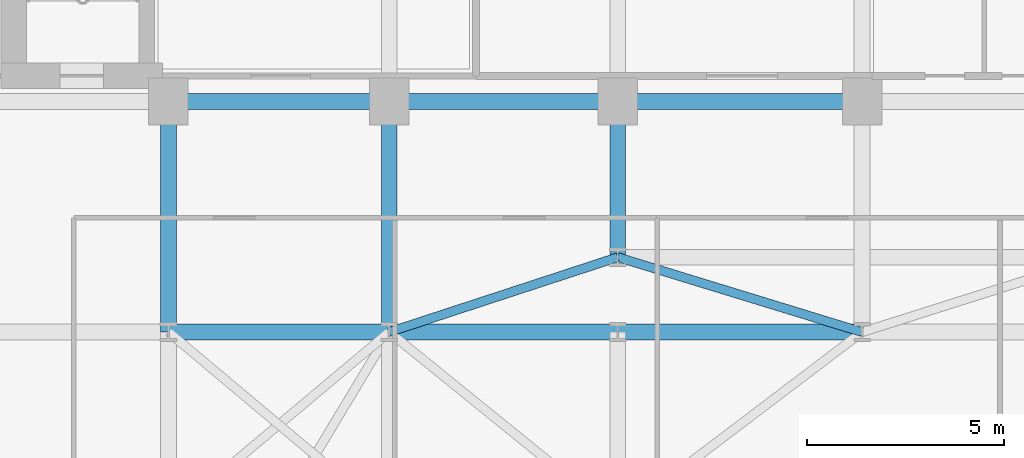
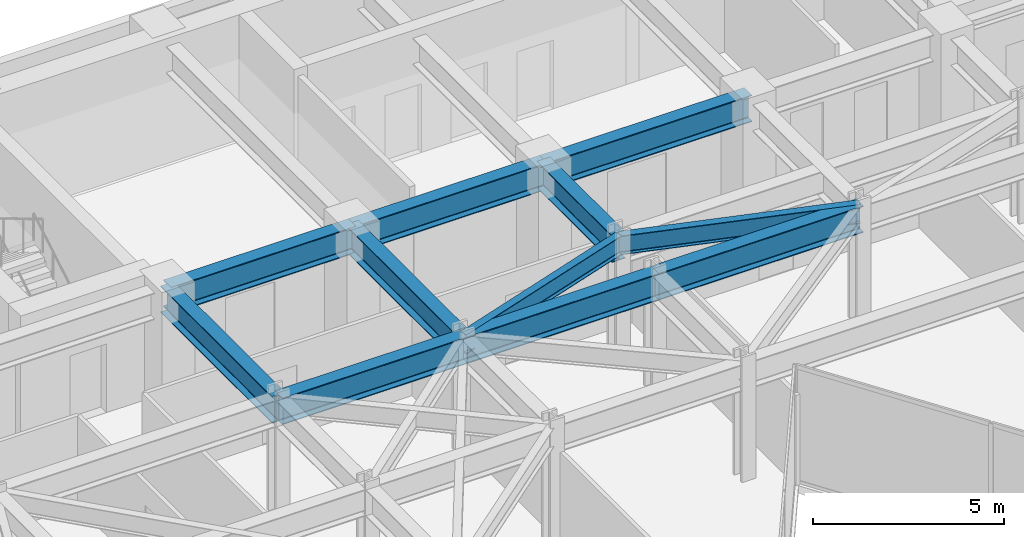
# One storey, part 14 of 26: 11 beams.
"""IFC4 building model written with IfcOpenShell, lengths in metres."""

from ifc_helpers import new_model, si_unit, direction, frame, origin, origin_2d, place, context, subcontext, project, spatial, i_section, extrude, material, material_profile, profile_set, type_object, element, save


model = new_model("IFC4")

# Units and contexts
model_context = context("Model", 3, precision=1e-05, world=origin(), true_north=direction((0.0, 1.0)))
body_context = subcontext(model_context, "Body", "Model", "MODEL_VIEW")
ifc_project = project(units=[si_unit("LENGTHUNIT", "METRE"), si_unit("AREAUNIT", "SQUARE_METRE"), si_unit("VOLUMEUNIT", "CUBIC_METRE"), si_unit("PLANEANGLEUNIT", "RADIAN"), si_unit("MASSUNIT", "GRAM", prefix="KILO")], contexts=[model_context])

# Site, building, storey
site_placement = place(None, origin())
site = spatial("IfcSite", under=ifc_project, at=site_placement, CompositionType="ELEMENT")
building_placement = place(site_placement, origin())
building = spatial("IfcBuilding", under=site, at=building_placement, Name="Kravanh Interchange Tower", CompositionType="ELEMENT")
storey_placement = place(building_placement, frame((0.0, 0.0, 112.0)))
storey = spatial("IfcBuildingStorey", under=building, at=storey_placement, Name="L26", CompositionType="ELEMENT", Elevation=112.0)

# Beams
ifc_material_1 = material(Name="Structural Steel S355", Category="steel")
ifc_material_profile_1 = material_profile(ifc_material_1, i_section(OverallWidth=0.39990234375, OverallDepth=0.85595703125, WebThickness=0.018310546875, FlangeThickness=0.029296875, FilletRadius=0.02490234375, at=origin_2d()), Name="W33X201")
ifc_profile_set_1 = profile_set([ifc_material_profile_1], Name="Structural Steel S355")
beam_type_1 = type_object("IfcBeamType", Name="Floor Beam W33X201 Structural Steel S355", PredefinedType="BEAM", material=ifc_profile_set_1)
beam_1_placement = place(storey_placement, frame((44.800048828125, 37.35009765625, 3.322021484375), z_axis=(-1.0, 0.0, 0.0), x_axis=(0.0, -1.0, 0.0)))
element("IfcBeam", 1, at=beam_1_placement, inside=storey, type_object=beam_type_1, Name="L26 Primary Floor Girder 13", PredefinedType="BEAM", context=body_context, shape_type="SweptSolid", body=[
    extrude(i_section(OverallWidth=0.39990234375, OverallDepth=0.85595703125, WebThickness=0.018310546875, FlangeThickness=0.029296875, FilletRadius=0.02490234375, at=origin_2d()), origin(), (0.0, 0.0, 1.0), 6.199951171875),
])
beam_2_placement = place(storey_placement, frame((38.60009765625, 37.35009765625, 3.322021484375), z_axis=(0.0, -1.0, 0.0), x_axis=(1.0, 0.0, 0.0)))
element("IfcBeam", 2, at=beam_2_placement, inside=storey, type_object=beam_type_1, Name="L26 Primary Floor Girder 16", PredefinedType="BEAM", context=body_context, shape_type="SweptSolid", body=[
    extrude(i_section(OverallWidth=0.39990234375, OverallDepth=0.85595703125, WebThickness=0.018310546875, FlangeThickness=0.029296875, FilletRadius=0.02490234375, at=origin_2d()), origin(), (0.0, 0.0, 1.0), 3.9501953125),
])
beam_3_placement = place(storey_placement, frame((38.60009765625, 37.35009765625, 3.322021484375), z_axis=(-1.0, 0.0, 0.0), x_axis=(0.0, -1.0, 0.0)))
element("IfcBeam", 3, at=beam_3_placement, inside=storey, type_object=beam_type_1, Name="L26 Primary Floor Girder 17", PredefinedType="BEAM", context=body_context, shape_type="SweptSolid", body=[
    extrude(i_section(OverallWidth=0.39990234375, OverallDepth=0.85595703125, WebThickness=0.018310546875, FlangeThickness=0.029296875, FilletRadius=0.02490234375, at=origin_2d()), origin(), (0.0, 0.0, 1.0), 5.800048828125),
])
beam_4_placement = place(storey_placement, frame((32.800048828125, 37.35009765625, 3.322021484375), z_axis=(-1.0, 0.0, 0.0), x_axis=(0.0, -1.0, 0.0)))
element("IfcBeam", 4, at=beam_4_placement, inside=storey, type_object=beam_type_1, Name="L26 Primary Floor Girder 20", PredefinedType="BEAM", context=body_context, shape_type="SweptSolid", body=[
    extrude(i_section(OverallWidth=0.39990234375, OverallDepth=0.85595703125, WebThickness=0.018310546875, FlangeThickness=0.029296875, FilletRadius=0.02490234375, at=origin_2d()), origin(), (0.0, 0.0, 1.0), 5.60009765625),
])
for number, where, z_axis, x_axis, name in (
    (5, (32.800048828125, 37.35009765625, 3.322021484375), (0.0, -1.0, 0.0), (1.0, 0.0, 0.0), "L26 Primary Floor Girder 21"),
    (6, (27.199951171875, 37.35009765625, 3.322021484375), (0.0, -1.0, 0.0), (1.0, 0.0, 0.0), "L26 Primary Floor Girder 24"),
):
    element("IfcBeam", number, at=place(storey_placement, frame(where, z_axis=z_axis, x_axis=x_axis)), inside=storey, type_object=beam_type_1, Name=name, PredefinedType="BEAM", context=body_context, shape_type="SweptSolid", body=[
        extrude(i_section(OverallWidth=0.39990234375, OverallDepth=0.85595703125, WebThickness=0.018310546875, FlangeThickness=0.029296875, FilletRadius=0.02490234375, at=origin_2d()), origin(), (0.0, 0.0, 1.0), 5.85009765625),
    ])
beam_5_placement = place(storey_placement, frame((27.199951171875, 31.5, 3.322021484375), z_axis=(1.0, 0.0, 0.0), x_axis=(0.0, 1.0, 0.0)))
element("IfcBeam", 7, at=beam_5_placement, inside=storey, type_object=beam_type_1, Name="L26 Primary Floor Girder 74", PredefinedType="BEAM", context=body_context, shape_type="SweptSolid", body=[
    extrude(i_section(OverallWidth=0.39990234375, OverallDepth=0.85595703125, WebThickness=0.018310546875, FlangeThickness=0.029296875, FilletRadius=0.02490234375, at=origin_2d()), origin(), (0.0, 0.0, 1.0), 5.60009765625),
])
beam_6_placement = place(storey_placement, frame((32.800048828125, 31.5, 3.322021484375), z_axis=(1.0, 0.0, 0.0), x_axis=(0.0, 1.0, 0.0)))
element("IfcBeam", 8, at=beam_6_placement, inside=storey, type_object=beam_type_1, Name="L26 Primary Floor Girder 78", PredefinedType="BEAM", context=body_context, shape_type="SweptSolid", body=[
    extrude(i_section(OverallWidth=0.39990234375, OverallDepth=0.85595703125, WebThickness=0.018310546875, FlangeThickness=0.029296875, FilletRadius=0.02490234375, at=origin_2d()), origin(), (0.0, 0.0, 1.0), 5.800048828125),
])
beam_7_placement = place(storey_placement, frame((38.60009765625, 31.5, 3.322021484375), z_axis=(1.0, 0.0, 0.0), x_axis=(0.0, 1.0, 0.0)))
element("IfcBeam", 9, at=beam_7_placement, inside=storey, type_object=beam_type_1, Name="L26 Primary Floor Girder 81", PredefinedType="BEAM", context=body_context, shape_type="SweptSolid", body=[
    extrude(i_section(OverallWidth=0.39990234375, OverallDepth=0.85595703125, WebThickness=0.018310546875, FlangeThickness=0.029296875, FilletRadius=0.02490234375, at=origin_2d()), origin(), (0.0, 0.0, 1.0), 6.199951171875),
])
ifc_material_2 = material(Name="Structural Steel S355", Category="steel")
ifc_material_profile_2 = material_profile(ifc_material_2, i_section(OverallWidth=0.22802734375, OverallDepth=0.60791015625, WebThickness=0.01123046875, FlangeThickness=0.017333984375, FilletRadius=0.02197265625, at=origin_2d()), Name="W24X76")
ifc_profile_set_2 = profile_set([ifc_material_profile_2], Name="Structural Steel S355")
beam_type_2 = type_object("IfcBeamType", Name="Floor Spandrel W24X76 Structural Steel S355", PredefinedType="SPANDREL", material=ifc_profile_set_2)
beam_8_placement = place(storey_placement, frame((32.800048828125, 31.5, 3.446044921875), z_axis=(0.950314536578, 0.31129131303, 0.0), x_axis=(-0.31129131303, 0.950314536578, 0.0)))
element("IfcBeam", 10, at=beam_8_placement, inside=storey, type_object=beam_type_2, Name="L26 Perimeter Spandrel 79", PredefinedType="SPANDREL", context=body_context, shape_type="SweptSolid", body=[
    extrude(i_section(OverallWidth=0.22802734375, OverallDepth=0.60791015625, WebThickness=0.01123046875, FlangeThickness=0.017333984375, FilletRadius=0.02197265625, at=origin_2d()), origin(), (0.0, 0.0, 1.0), 6.103271484375),
])
beam_9_placement = place(storey_placement, frame((44.800048828125, 31.5, 3.446044921875), z_axis=(-0.956115397264, 0.292990353279, 0.0), x_axis=(-0.292990353279, -0.956115397264, 0.0)))
element("IfcBeam", 11, at=beam_9_placement, inside=storey, type_object=beam_type_2, Name="L26 Perimeter Spandrel 85", PredefinedType="SPANDREL", context=body_context, shape_type="SweptSolid", body=[
    extrude(i_section(OverallWidth=0.22802734375, OverallDepth=0.60791015625, WebThickness=0.01123046875, FlangeThickness=0.017333984375, FilletRadius=0.02197265625, at=origin_2d()), origin(), (0.0, 0.0, 1.0), 6.484619140625),
])

save(model, "model.ifc")
